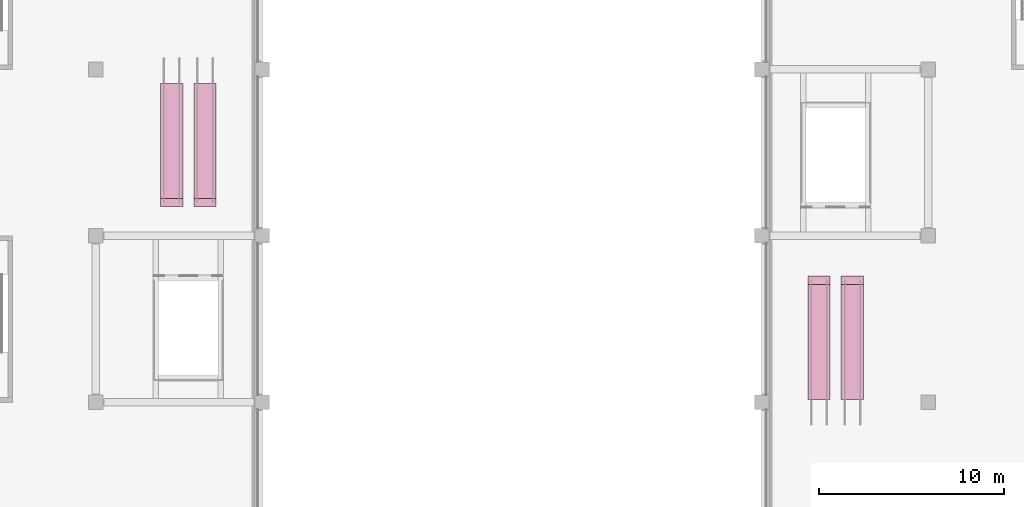
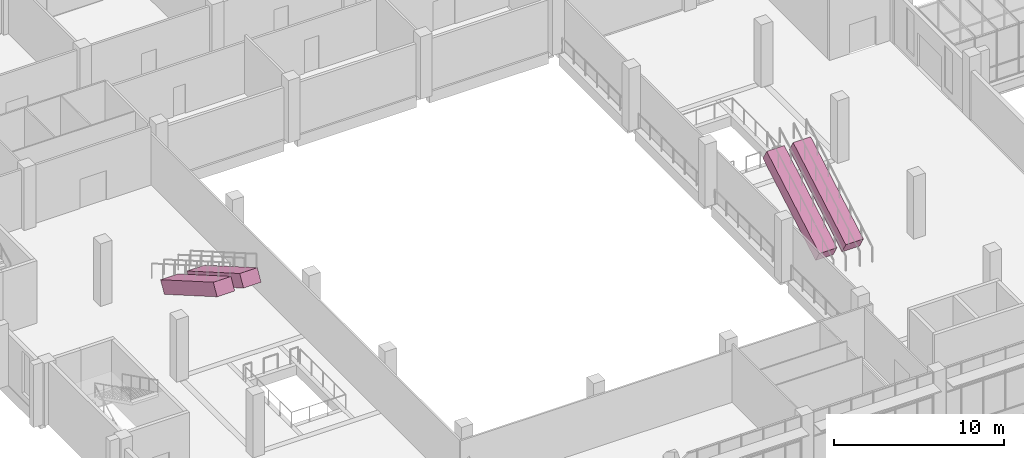
# One storey, part 106 of 106: 4 transport elements.
"""IFC4 building model written with IfcOpenShell, lengths in metres."""

from ifc_helpers import new_model, si_unit, direction, frame, origin, origin_2d, place, context, subcontext, project, spatial, rectangle, extrude, material, material_profile, profile_set, type_object, element, save


model = new_model("IFC4")

# Units and contexts
model_context = context("Model", 3, precision=1e-05, world=origin(), true_north=direction((0.0, 1.0)))
body_context = subcontext(model_context, "Body", "Model", "MODEL_VIEW")
ifc_project = project(units=[si_unit("LENGTHUNIT", "METRE"), si_unit("AREAUNIT", "SQUARE_METRE"), si_unit("VOLUMEUNIT", "CUBIC_METRE"), si_unit("PLANEANGLEUNIT", "RADIAN"), si_unit("MASSUNIT", "GRAM", prefix="KILO")], contexts=[model_context])

# Site, building, storey
site_placement = place(None, origin())
site = spatial("IfcSite", under=ifc_project, at=site_placement, CompositionType="ELEMENT")
building_placement = place(site_placement, origin())
building = spatial("IfcBuilding", under=site, at=building_placement, Name="Guidao Yard Department Store", CompositionType="ELEMENT")
storey_placement = place(building_placement, frame((0.0, 0.0, 10.5)))
storey = spatial("IfcBuildingStorey", under=building, at=storey_placement, Name="L02", CompositionType="ELEMENT", Elevation=10.5)

# Transport elements
ifc_material = material(Name="Steel Q235", Category="steel")
ifc_material_profile = material_profile(ifc_material, rectangle(XDim=1.199951171875, YDim=0.89990234375, at=origin_2d()), Name="Escalator 800 step 30 degrees")
ifc_profile_set = profile_set([ifc_material_profile], Name="Steel Q235")
transport_element_type = type_object("IfcTransportElementType", Name="Escalator 800 step 30 degrees", PredefinedType="ESCALATOR", material=ifc_profile_set)
for number, where, z_axis, x_axis, name in (
    (1, (48.10009765625, 63.375, 0.3896484375), (0.0, 0.866008376869, 0.500029490323), (-1.0, 0.0, 0.0), "Escalator EH5 up"),
    (2, (49.89990234375, 63.375, 0.3896484375), (0.0, 0.866008376869, 0.500029490323), (-1.0, 0.0, 0.0), "Escalator EH5 down"),
    (3, (13.10009765625, 80.02490234375, 0.3896484375), (0.0, -0.866008376869, 0.500029490323), (1.0, 0.0, 0.0), "Escalator EH6 up"),
    (4, (14.89990234375, 80.02490234375, 0.3896484375), (0.0, -0.866008376869, 0.500029490323), (1.0, 0.0, 0.0), "Escalator EH6 down"),
):
    element("IfcTransportElement", number, at=place(storey_placement, frame(where, z_axis=z_axis, x_axis=x_axis)), inside=storey, type_object=transport_element_type, Name=name, PredefinedType="ESCALATOR", context=body_context, shape_type="SweptSolid", body=[
        extrude(rectangle(XDim=1.199951171875, YDim=0.89990234375, at=origin_2d()), origin(), (0.0, 0.0, 1.0), 7.18115234375),
    ])

save(model, "model.ifc")
